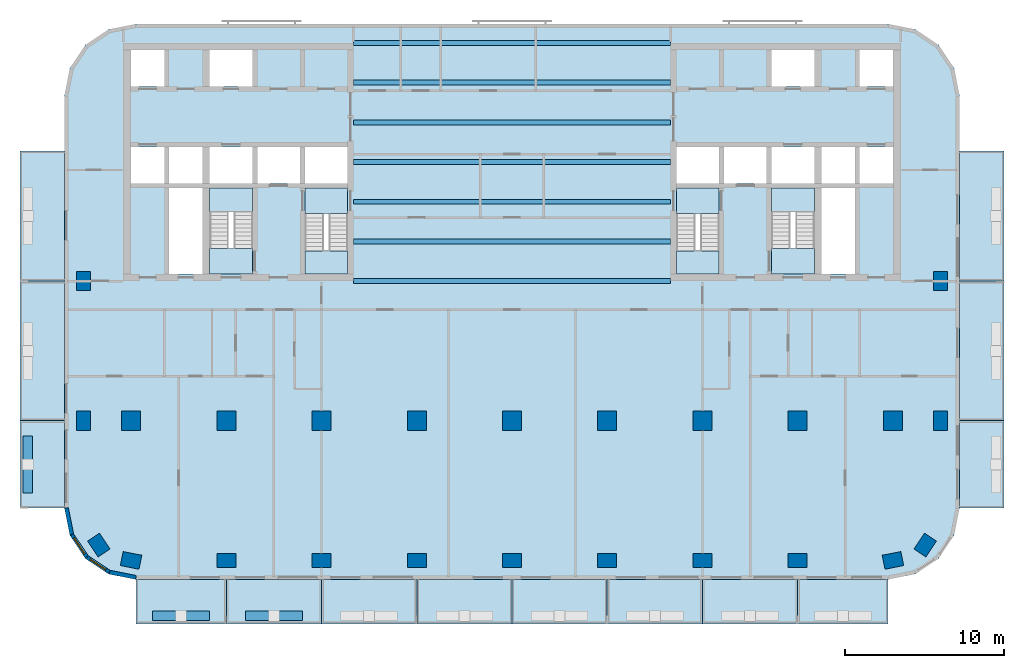
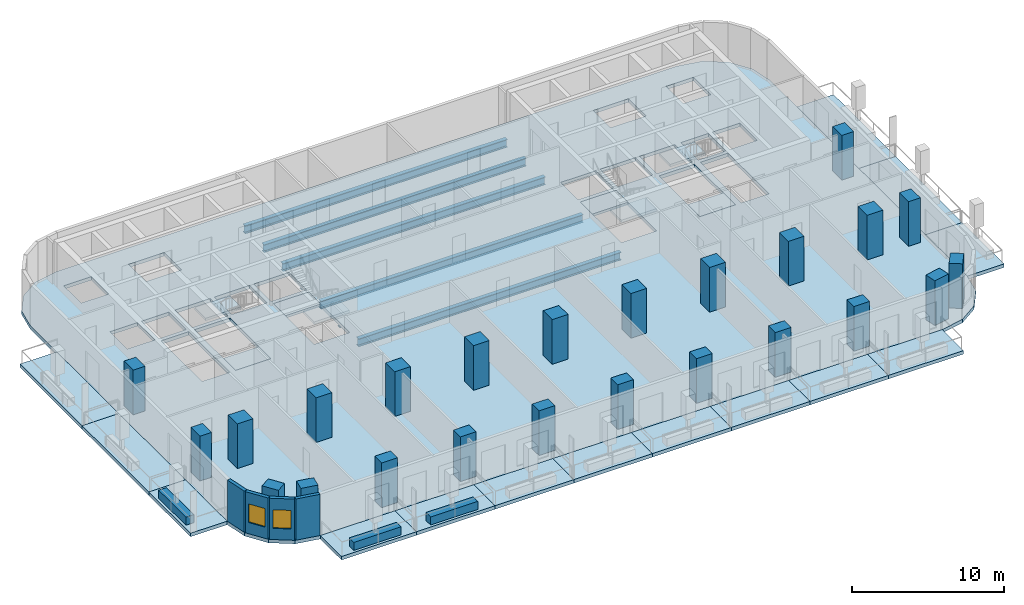
# One storey, part 1 of 11: 24 columns, 23 slabs, 7 beams, 7 walls, 2 windows, 2 openings, 4 elements without a shape of their own.
"""IFC4 building model written with IfcOpenShell, lengths in metres."""

from ifc_helpers import new_model, si_unit, direction, frame, frame_2d, origin, origin_2d, place, context, subcontext, project, spatial, polyline, rectangle, i_section, outline, extrude, material, layer, layer_set, material_profile, profile_set, type_object, element, fill, aggregate, save


model = new_model("IFC4")

# Units and contexts
model_context = context("Model", 3, precision=1e-05, world=origin(), true_north=direction((0.0, 1.0)))
body_context = subcontext(model_context, "Body", "Model", "MODEL_VIEW")
ifc_project = project(units=[si_unit("LENGTHUNIT", "METRE"), si_unit("AREAUNIT", "SQUARE_METRE"), si_unit("VOLUMEUNIT", "CUBIC_METRE"), si_unit("PLANEANGLEUNIT", "RADIAN"), si_unit("MASSUNIT", "GRAM", prefix="KILO")], contexts=[model_context])

# Site, building, storey
site_placement = place(None, origin())
site = spatial("IfcSite", under=ifc_project, at=site_placement, CompositionType="ELEMENT")
building_placement = place(site_placement, origin())
building = spatial("IfcBuilding", under=site, at=building_placement, Name="Torana Hotel and Residences", CompositionType="ELEMENT")
storey_placement = place(building_placement, frame((0.0, 0.0, 145.199951171875)))
storey = spatial("IfcBuildingStorey", under=building, at=storey_placement, Name="L37", CompositionType="ELEMENT", Elevation=145.199951171875)

# Columns
ifc_material_1 = material(Name="Concrete C70/85", Category="concrete")
ifc_material_profile_1 = material_profile(ifc_material_1, rectangle(XDim=1.199951171875, YDim=1.199951171875, at=origin_2d()), Name="RC 1200x1200")
ifc_profile_set_1 = profile_set([ifc_material_profile_1], Name="Concrete C70/85")
column_type_1 = type_object("IfcColumnType", Name="COLUMN RC 1200x1200 C70/85", PredefinedType="COLUMN", material=ifc_profile_set_1)
for number, where, z_axis, x_axis, name in (
    (1, (-24.0, -23.800048828125, 0.0), (0.0, 0.0, 1.0), (1.0, 0.0, 0.0), "Column L37"),
    (2, (-18.0, -23.800048828125, 0.0), (0.0, 0.0, 1.0), (1.0, 0.0, 0.0), "Column L37"),
    (3, (-12.0, -23.800048828125, 0.0), (0.0, 0.0, 1.0), (1.0, 0.0, 0.0), "Column L37"),
    (4, (-6.0, -23.800048828125, 0.0), (0.0, 0.0, 1.0), (1.0, 0.0, 0.0), "Column L37"),
    (5, (0.0, -23.800048828125, 0.0), (0.0, 0.0, 1.0), (1.0, 0.0, 0.0), "Column L37"),
    (6, (6.0, -23.800048828125, 0.0), (0.0, 0.0, 1.0), (1.0, 0.0, 0.0), "Column L37"),
    (7, (12.0, -23.800048828125, 0.0), (0.0, 0.0, 1.0), (1.0, 0.0, 0.0), "Column L37"),
    (8, (18.0, -23.800048828125, 0.0), (0.0, 0.0, 1.0), (1.0, 0.0, 0.0), "Column L37"),
    (9, (24.0, -23.800048828125, 0.0), (0.0, 0.0, 1.0), (1.0, 0.0, 0.0), "Column L37"),
):
    element("IfcColumn", number, at=place(storey_placement, frame(where, z_axis=z_axis, x_axis=x_axis)), inside=storey, type_object=column_type_1, Name=name, PredefinedType="COLUMN", context=body_context, shape_type="SweptSolid", body=[
        extrude(rectangle(XDim=1.199951171875, YDim=1.199951171875, at=origin_2d()), origin(), (0.0, 0.0, 1.0), 3.60009765625),
    ])
ifc_material_2 = material(Name="Concrete C70/85", Category="concrete")
ifc_material_profile_2 = material_profile(ifc_material_2, rectangle(XDim=1.199951171875, YDim=0.89990234375, at=origin_2d()), Name="RC 1200x900")
ifc_profile_set_2 = profile_set([ifc_material_profile_2], Name="Concrete C70/85")
column_type_2 = type_object("IfcColumnType", Name="COLUMN RC 1200x900 C70/85", PredefinedType="COLUMN", material=ifc_profile_set_2)
for number, where, z_axis, x_axis, name in (
    (10, (-27.0, -23.800048828125, 0.0), (0.0, 0.0, 1.0), (0.0, 1.0, 0.0), "Column L37"),
    (11, (-27.0, -15.0, 0.0), (0.0, 0.0, 1.0), (0.0, 1.0, 0.0), "Column L37"),
    (12, (-26.032958984375, -31.633056640625, 0.0), (0.0, 0.0, 1.0), (-0.555584744817, 0.831459915646, 0.0), "Column L37"),
    (13, (-24.0, -32.60009765625, 0.0), (0.0, 0.0, 1.0), (-0.980792089743, 0.195056086032, 0.0), "Column L37"),
    (14, (-18.0, -32.60009765625, 0.0), (0.0, 0.0, 1.0), (1.0, 0.0, 0.0), "Column L37"),
    (15, (-12.0, -32.60009765625, 0.0), (0.0, 0.0, 1.0), (1.0, 0.0, 0.0), "Column L37"),
    (16, (-6.0, -32.60009765625, 0.0), (0.0, 0.0, 1.0), (1.0, 0.0, 0.0), "Column L37"),
    (17, (0.0, -32.60009765625, 0.0), (0.0, 0.0, 1.0), (1.0, 0.0, 0.0), "Column L37"),
    (18, (6.0, -32.60009765625, 0.0), (0.0, 0.0, 1.0), (1.0, 0.0, 0.0), "Column L37"),
    (19, (12.0, -32.60009765625, 0.0), (0.0, 0.0, 1.0), (1.0, 0.0, 0.0), "Column L37"),
    (20, (18.0, -32.60009765625, 0.0), (0.0, 0.0, 1.0), (1.0, 0.0, 0.0), "Column L37"),
    (21, (24.0, -32.60009765625, 0.0), (0.0, 0.0, 1.0), (0.980792089743, 0.195056086032, 0.0), "Column L37"),
    (22, (26.032958984375, -31.633056640625, 0.0), (0.0, 0.0, 1.0), (0.555584744817, 0.831459915646, 0.0), "Column L37"),
    (23, (27.0, -23.800048828125, 0.0), (0.0, 0.0, 1.0), (0.0, 1.0, 0.0), "Column L37"),
    (24, (27.0, -15.0, 0.0), (0.0, 0.0, 1.0), (0.0, 1.0, 0.0), "Column L37"),
):
    element("IfcColumn", number, at=place(storey_placement, frame(where, z_axis=z_axis, x_axis=x_axis)), inside=storey, type_object=column_type_2, Name=name, PredefinedType="COLUMN", context=body_context, shape_type="SweptSolid", body=[
        extrude(rectangle(XDim=1.199951171875, YDim=0.89990234375, at=origin_2d()), origin(), (0.0, 0.0, 1.0), 3.60009765625),
    ])

# Beams
ifc_material_3 = material(Name="Steel S355", Category="steel")
ifc_material_profile_3 = material_profile(ifc_material_3, i_section(OverallWidth=0.311279296875, OverallDepth=0.6357421875, WebThickness=0.018310546875, FlangeThickness=0.031494140625, FilletRadius=0.0166015625, at=origin_2d()), Name="610x305x238 UB")
ifc_profile_set_3 = profile_set([ifc_material_profile_3], Name="Steel S355")
beam_type = type_object("IfcBeamType", Name="STEEL GIRDER 610x305x238 UB", PredefinedType="BEAM", material=ifc_profile_set_3)
for number, where, z_axis, x_axis, name in (
    (25, (-10.0, -15.0, -0.597900390625), (1.0, 0.0, 0.0), (0.0, 1.0, 0.0), "Floor girder"),
    (26, (-10.0, -12.5, -0.597900390625), (1.0, 0.0, 0.0), (0.0, 1.0, 0.0), "Floor girder"),
    (27, (-10.0, -10.0, -0.597900390625), (1.0, 0.0, 0.0), (0.0, 1.0, 0.0), "Floor girder"),
    (28, (-10.0, -7.5, -0.597900390625), (1.0, 0.0, 0.0), (0.0, 1.0, 0.0), "Floor girder"),
    (29, (-10.0, -5.0, -0.597900390625), (1.0, 0.0, 0.0), (0.0, 1.0, 0.0), "Floor girder"),
    (30, (-10.0, -2.5, -0.597900390625), (1.0, 0.0, 0.0), (0.0, 1.0, 0.0), "Floor girder"),
    (31, (-10.0, 0.0, -0.597900390625), (1.0, 0.0, 0.0), (0.0, 1.0, 0.0), "Floor girder"),
):
    element("IfcBeam", number, at=place(storey_placement, frame(where, z_axis=z_axis, x_axis=x_axis)), inside=storey, type_object=beam_type, Name=name, PredefinedType="BEAM", context=body_context, shape_type="SweptSolid", body=[
        extrude(i_section(OverallWidth=0.311279296875, OverallDepth=0.6357421875, WebThickness=0.018310546875, FlangeThickness=0.031494140625, FilletRadius=0.0166015625, at=origin_2d()), origin(), (0.0, 0.0, 1.0), 20.0),
    ])

# Slabs
ifc_material_4 = material(Name="Concrete C40/50", Category="concrete")
ifc_layer_1 = layer(ifc_material_4, 0.280029296875)
ifc_layer_set_1 = layer_set([ifc_layer_1], Name="BAL1 BALCONY SLAB 280")
slab_type_1 = type_object("IfcSlabType", Name="BAL1 BALCONY SLAB 280", PredefinedType="USERDEFINED", material=ifc_layer_set_1)
slab_1_placement = place(storey_placement, frame((0.0, 0.0, -0.280029296875)))
element("IfcSlab", 32, at=slab_1_placement, inside=storey, type_object=slab_type_1, Name="Balcony 01", ObjectType="BALCONY", PredefinedType="USERDEFINED", context=body_context, shape_type="SweptSolid", body=[
    extrude(outline(polyline([(-23.699951171875, -36.60009765625), (-18.0, -36.60009765625), (-18.0, -33.800048828125), (-23.699951171875, -33.800048828125), (-23.699951171875, -36.60009765625)])), origin(), (0.0, 0.0, 1.0), 0.280029296875),
])
slab_2_placement = place(storey_placement, frame((0.0, 0.0, -0.280029296875)))
element("IfcSlab", 33, at=slab_2_placement, inside=storey, type_object=slab_type_1, Name="Balcony 02", ObjectType="BALCONY", PredefinedType="USERDEFINED", context=body_context, shape_type="SweptSolid", body=[
    extrude(outline(polyline([(-18.0, -36.60009765625), (-12.0, -36.60009765625), (-12.0, -33.800048828125), (-18.0, -33.800048828125), (-18.0, -36.60009765625)])), origin(), (0.0, 0.0, 1.0), 0.280029296875),
])
slab_3_placement = place(storey_placement, frame((0.0, 0.0, -0.280029296875)))
element("IfcSlab", 34, at=slab_3_placement, inside=storey, type_object=slab_type_1, Name="Balcony 03", ObjectType="BALCONY", PredefinedType="USERDEFINED", context=body_context, shape_type="SweptSolid", body=[
    extrude(outline(polyline([(-12.0, -36.60009765625), (-6.0, -36.60009765625), (-6.0, -33.800048828125), (-12.0, -33.800048828125), (-12.0, -36.60009765625)])), origin(), (0.0, 0.0, 1.0), 0.280029296875),
])
slab_4_placement = place(storey_placement, frame((0.0, 0.0, -0.280029296875)))
element("IfcSlab", 35, at=slab_4_placement, inside=storey, type_object=slab_type_1, Name="Balcony 04", ObjectType="BALCONY", PredefinedType="USERDEFINED", context=body_context, shape_type="SweptSolid", body=[
    extrude(outline(polyline([(-6.0, -36.60009765625), (0.0, -36.60009765625), (0.0, -33.800048828125), (-6.0, -33.800048828125), (-6.0, -36.60009765625)])), origin(), (0.0, 0.0, 1.0), 0.280029296875),
])
slab_5_placement = place(storey_placement, frame((0.0, 0.0, -0.280029296875)))
element("IfcSlab", 36, at=slab_5_placement, inside=storey, type_object=slab_type_1, Name="Balcony 05", ObjectType="BALCONY", PredefinedType="USERDEFINED", context=body_context, shape_type="SweptSolid", body=[
    extrude(outline(polyline([(0.0, -36.60009765625), (6.0, -36.60009765625), (6.0, -33.800048828125), (0.0, -33.800048828125), (0.0, -36.60009765625)])), origin(), (0.0, 0.0, 1.0), 0.280029296875),
])
slab_6_placement = place(storey_placement, frame((0.0, 0.0, -0.280029296875)))
element("IfcSlab", 37, at=slab_6_placement, inside=storey, type_object=slab_type_1, Name="Balcony 06", ObjectType="BALCONY", PredefinedType="USERDEFINED", context=body_context, shape_type="SweptSolid", body=[
    extrude(outline(polyline([(6.0, -36.60009765625), (12.0, -36.60009765625), (12.0, -33.800048828125), (6.0, -33.800048828125), (6.0, -36.60009765625)])), origin(), (0.0, 0.0, 1.0), 0.280029296875),
])
slab_7_placement = place(storey_placement, frame((0.0, 0.0, -0.280029296875)))
element("IfcSlab", 38, at=slab_7_placement, inside=storey, type_object=slab_type_1, Name="Balcony 07", ObjectType="BALCONY", PredefinedType="USERDEFINED", context=body_context, shape_type="SweptSolid", body=[
    extrude(outline(polyline([(12.0, -36.60009765625), (18.0, -36.60009765625), (18.0, -33.800048828125), (12.0, -33.800048828125), (12.0, -36.60009765625)])), origin(), (0.0, 0.0, 1.0), 0.280029296875),
])
slab_8_placement = place(storey_placement, frame((0.0, 0.0, -0.280029296875)))
element("IfcSlab", 39, at=slab_8_placement, inside=storey, type_object=slab_type_1, Name="Balcony 08", ObjectType="BALCONY", PredefinedType="USERDEFINED", context=body_context, shape_type="SweptSolid", body=[
    extrude(outline(polyline([(18.0, -36.60009765625), (23.699951171875, -36.60009765625), (23.699951171875, -33.800048828125), (18.0, -33.800048828125), (18.0, -36.60009765625)])), origin(), (0.0, 0.0, 1.0), 0.280029296875),
])
slab_9_placement = place(storey_placement, frame((0.0, 0.0, -0.280029296875)))
element("IfcSlab", 40, at=slab_9_placement, inside=storey, type_object=slab_type_1, Name="Balcony 09", ObjectType="BALCONY", PredefinedType="USERDEFINED", context=body_context, shape_type="SweptSolid", body=[
    extrude(outline(polyline([(-31.0, -29.300048828125), (-28.199951171875, -29.300048828125), (-28.199951171875, -23.800048828125), (-31.0, -23.800048828125), (-31.0, -29.300048828125)])), origin(), (0.0, 0.0, 1.0), 0.280029296875),
])
slab_10_placement = place(storey_placement, frame((0.0, 0.0, -0.280029296875)))
element("IfcSlab", 41, at=slab_10_placement, inside=storey, type_object=slab_type_1, Name="Balcony 10", ObjectType="BALCONY", PredefinedType="USERDEFINED", context=body_context, shape_type="SweptSolid", body=[
    extrude(outline(polyline([(-31.0, -23.800048828125), (-28.199951171875, -23.800048828125), (-28.199951171875, -15.0), (-31.0, -15.0), (-31.0, -23.800048828125)])), origin(), (0.0, 0.0, 1.0), 0.280029296875),
])
slab_11_placement = place(storey_placement, frame((0.0, 0.0, -0.280029296875)))
element("IfcSlab", 42, at=slab_11_placement, inside=storey, type_object=slab_type_1, Name="Balcony 11", ObjectType="BALCONY", PredefinedType="USERDEFINED", context=body_context, shape_type="SweptSolid", body=[
    extrude(outline(polyline([(-31.0, -15.0), (-28.199951171875, -15.0), (-28.199951171875, -6.800048828125), (-31.0, -6.800048828125), (-31.0, -15.0)])), origin(), (0.0, 0.0, 1.0), 0.280029296875),
])
slab_12_placement = place(storey_placement, frame((0.0, 0.0, -0.280029296875)))
element("IfcSlab", 43, at=slab_12_placement, inside=storey, type_object=slab_type_1, Name="Balcony 12", ObjectType="BALCONY", PredefinedType="USERDEFINED", context=body_context, shape_type="SweptSolid", body=[
    extrude(outline(polyline([(28.199951171875, -29.300048828125), (31.0, -29.300048828125), (31.0, -23.800048828125), (28.199951171875, -23.800048828125), (28.199951171875, -29.300048828125)])), origin(), (0.0, 0.0, 1.0), 0.280029296875),
])
slab_13_placement = place(storey_placement, frame((0.0, 0.0, -0.280029296875)))
element("IfcSlab", 44, at=slab_13_placement, inside=storey, type_object=slab_type_1, Name="Balcony 13", ObjectType="BALCONY", PredefinedType="USERDEFINED", context=body_context, shape_type="SweptSolid", body=[
    extrude(outline(polyline([(28.199951171875, -23.800048828125), (31.0, -23.800048828125), (31.0, -15.0), (28.199951171875, -15.0), (28.199951171875, -23.800048828125)])), origin(), (0.0, 0.0, 1.0), 0.280029296875),
])
slab_14_placement = place(storey_placement, frame((0.0, 0.0, -0.280029296875)))
element("IfcSlab", 45, at=slab_14_placement, inside=storey, type_object=slab_type_1, Name="Balcony 14", ObjectType="BALCONY", PredefinedType="USERDEFINED", context=body_context, shape_type="SweptSolid", body=[
    extrude(outline(polyline([(28.199951171875, -15.0), (31.0, -15.0), (31.0, -6.800048828125), (28.199951171875, -6.800048828125), (28.199951171875, -15.0)])), origin(), (0.0, 0.0, 1.0), 0.280029296875),
])
ifc_material_5 = material(Name="Concrete C40/50", Category="concrete")
ifc_layer_2 = layer(ifc_material_5, 0.280029296875)
ifc_layer_set_2 = layer_set([ifc_layer_2], Name="FLOOR SLAB PT 280")
slab_type_2 = type_object("IfcSlabType", Name="FLOOR SLAB PT 280", PredefinedType="FLOOR", material=ifc_layer_set_2)
slab_15_placement = place(storey_placement, frame((0.0, 0.0, -0.280029296875)))
element("IfcSlab", 46, at=slab_15_placement, inside=storey, type_object=slab_type_2, Name="Floor slab", PredefinedType="FLOOR", context=body_context, shape_type="SweptSolid", body=[
    extrude(outline(polyline([(28.199951171875, -3.300048828125), (27.857421875, -1.577880859375), (26.882080078125, -0.117919921875), (25.422119140625, 0.857421875), (23.699951171875, 1.199951171875), (-23.699951171875, 1.199951171875), (-25.422119140625, 0.857421875), (-26.882080078125, -0.117919921875), (-27.857421875, -1.577880859375), (-28.199951171875, -3.300048828125), (-28.199951171875, -29.300048828125), (-27.857421875, -31.022216796875), (-26.882080078125, -32.48193359375), (-25.422119140625, -33.45751953125), (-23.699951171875, -33.800048828125), (23.699951171875, -33.800048828125), (25.422119140625, -33.45751953125), (26.882080078125, -32.48193359375), (27.857421875, -31.022216796875), (28.199951171875, -29.300048828125), (28.199951171875, -3.300048828125)]), holes=[polyline([(-13.050048828125, -14.550048828125), (-10.35009765625, -14.550048828125), (-10.35009765625, -9.14990234375), (-13.050048828125, -9.14990234375), (-13.050048828125, -14.550048828125)]), polyline([(-19.050048828125, -14.550048828125), (-16.35009765625, -14.550048828125), (-16.35009765625, -9.14990234375), (-19.050048828125, -9.14990234375), (-19.050048828125, -14.550048828125)]), polyline([(-19.050048828125, -2.75), (-16.35009765625, -2.75), (-16.35009765625, -0.449951171875), (-19.050048828125, -0.449951171875), (-19.050048828125, -2.75)]), polyline([(-21.60009765625, -8.85009765625), (-19.5, -8.85009765625), (-19.5, -6.550048828125), (-21.60009765625, -6.550048828125), (-21.60009765625, -8.85009765625)]), polyline([(-24.0, -2.75), (-21.89990234375, -2.75), (-21.89990234375, -0.449951171875), (-24.0, -0.449951171875), (-24.0, -2.75)]), polyline([(-24.0, -8.85009765625), (-21.89990234375, -8.85009765625), (-21.89990234375, -6.550048828125), (-24.0, -6.550048828125), (-24.0, -8.85009765625)]), polyline([(-13.050048828125, -8.85009765625), (-10.35009765625, -8.85009765625), (-10.35009765625, -6.550048828125), (-13.050048828125, -6.550048828125), (-13.050048828125, -8.85009765625)]), polyline([(-16.050048828125, -8.85009765625), (-13.35009765625, -8.85009765625), (-13.35009765625, -6.550048828125), (-16.050048828125, -6.550048828125), (-16.050048828125, -8.85009765625)]), polyline([(-19.050048828125, -8.85009765625), (-16.35009765625, -8.85009765625), (-16.35009765625, -6.550048828125), (-19.050048828125, -6.550048828125), (-19.050048828125, -8.85009765625)]), polyline([(-21.60009765625, -14.550048828125), (-19.5, -14.550048828125), (-19.5, -9.14990234375), (-21.60009765625, -9.14990234375), (-21.60009765625, -14.550048828125)]), polyline([(10.35009765625, -14.550048828125), (13.050048828125, -14.550048828125), (13.050048828125, -9.14990234375), (10.35009765625, -9.14990234375), (10.35009765625, -14.550048828125)]), polyline([(16.35009765625, -14.550048828125), (19.050048828125, -14.550048828125), (19.050048828125, -9.14990234375), (16.35009765625, -9.14990234375), (16.35009765625, -14.550048828125)]), polyline([(16.35009765625, -2.75), (19.050048828125, -2.75), (19.050048828125, -0.449951171875), (16.35009765625, -0.449951171875), (16.35009765625, -2.75)]), polyline([(19.5, -8.85009765625), (21.60009765625, -8.85009765625), (21.60009765625, -6.550048828125), (19.5, -6.550048828125), (19.5, -8.85009765625)]), polyline([(21.89990234375, -2.75), (24.0, -2.75), (24.0, -0.449951171875), (21.89990234375, -0.449951171875), (21.89990234375, -2.75)]), polyline([(21.89990234375, -8.85009765625), (24.0, -8.85009765625), (24.0, -6.550048828125), (21.89990234375, -6.550048828125), (21.89990234375, -8.85009765625)]), polyline([(10.35009765625, -8.85009765625), (13.050048828125, -8.85009765625), (13.050048828125, -6.550048828125), (10.35009765625, -6.550048828125), (10.35009765625, -8.85009765625)]), polyline([(13.35009765625, -8.85009765625), (16.050048828125, -8.85009765625), (16.050048828125, -6.550048828125), (13.35009765625, -6.550048828125), (13.35009765625, -8.85009765625)]), polyline([(16.35009765625, -8.85009765625), (19.050048828125, -8.85009765625), (19.050048828125, -6.550048828125), (16.35009765625, -6.550048828125), (16.35009765625, -8.85009765625)]), polyline([(19.5, -14.550048828125), (21.60009765625, -14.550048828125), (21.60009765625, -9.14990234375), (19.5, -9.14990234375), (19.5, -14.550048828125)])]), origin(), (0.0, 0.0, 1.0), 0.280029296875),
])

# Stair, slabs
ifc_material_6 = material(Name="Concrete C40/50 precast", Category="concrete")
stair_type_1 = type_object("IfcStairType", Name="STAIR ST1 HALF TURN 1200", PredefinedType="HALF_TURN_STAIR", material=ifc_material_6)
stair_1_placement = place(storey_placement, origin())
stair_1 = element("IfcStair", 47, at=stair_1_placement, inside=storey, type_object=stair_type_1, Name="Stair ST1 L37", PredefinedType="HALF_TURN_STAIR")
ifc_material_7 = material(Name="Concrete C40/50 precast", Category="concrete")
ifc_layer_3 = layer(ifc_material_7, 0.199951171875)
ifc_layer_set_3 = layer_set([ifc_layer_3], Name="STAIR LANDING 200")
slab_type_3 = type_object("IfcSlabType", Name="STAIR LANDING 200", PredefinedType="LANDING", material=ifc_layer_set_3)
slab_16_placement = place(storey_placement, frame((0.0, 0.0, 1.60009765625)))
slab_16 = element("IfcSlab", 48, at=slab_16_placement, type_object=slab_type_3, Name="ST1 landing 1", PredefinedType="LANDING", context=body_context, shape_type="SweptSolid", body=[
    extrude(outline(polyline([(-13.050048828125, -14.550048828125), (-10.35009765625, -14.550048828125), (-10.35009765625, -13.090087890625), (-13.050048828125, -13.090087890625), (-13.050048828125, -14.550048828125)])), origin(), (0.0, 0.0, 1.0), 0.199951171875),
])
slab_17_placement = place(storey_placement, frame((0.0, 0.0, -0.199951171875)))
slab_17 = element("IfcSlab", 49, at=slab_17_placement, type_object=slab_type_3, Name="ST1 landing 2", PredefinedType="LANDING", context=body_context, shape_type="SweptSolid", body=[
    extrude(outline(polyline([(-13.050048828125, -10.75), (-10.35009765625, -10.75), (-10.35009765625, -9.14990234375), (-13.050048828125, -9.14990234375), (-13.050048828125, -10.75)])), origin(), (0.0, 0.0, 1.0), 0.199951171875),
])
aggregate(stair_1, [slab_16, slab_17])

ifc_material_8 = material(Name="Concrete C40/50 precast", Category="concrete")
stair_type_2 = type_object("IfcStairType", Name="STAIR ST2 HALF TURN 1200", PredefinedType="HALF_TURN_STAIR", material=ifc_material_8)
stair_2_placement = place(storey_placement, origin())
stair_2 = element("IfcStair", 50, at=stair_2_placement, inside=storey, type_object=stair_type_2, Name="Stair ST2 L37", PredefinedType="HALF_TURN_STAIR")
slab_18_placement = place(storey_placement, frame((0.0, 0.0, 1.60009765625)))
slab_18 = element("IfcSlab", 51, at=slab_18_placement, type_object=slab_type_3, Name="ST2 landing 1", PredefinedType="LANDING", context=body_context, shape_type="SweptSolid", body=[
    extrude(outline(polyline([(-19.050048828125, -10.610107421875), (-16.35009765625, -10.610107421875), (-16.35009765625, -9.14990234375), (-19.050048828125, -9.14990234375), (-19.050048828125, -10.610107421875)])), origin(), (0.0, 0.0, 1.0), 0.199951171875),
])
slab_19_placement = place(storey_placement, frame((0.0, 0.0, -0.199951171875)))
slab_19 = element("IfcSlab", 52, at=slab_19_placement, type_object=slab_type_3, Name="ST2 landing 2", PredefinedType="LANDING", context=body_context, shape_type="SweptSolid", body=[
    extrude(outline(polyline([(-19.050048828125, -14.550048828125), (-16.35009765625, -14.550048828125), (-16.35009765625, -12.949951171875), (-19.050048828125, -12.949951171875), (-19.050048828125, -14.550048828125)])), origin(), (0.0, 0.0, 1.0), 0.199951171875),
])
aggregate(stair_2, [slab_18, slab_19])

ifc_material_9 = material(Name="Concrete C40/50 precast", Category="concrete")
stair_type_3 = type_object("IfcStairType", Name="STAIR ST3 HALF TURN 1200", PredefinedType="HALF_TURN_STAIR", material=ifc_material_9)
stair_3_placement = place(storey_placement, origin())
stair_3 = element("IfcStair", 53, at=stair_3_placement, inside=storey, type_object=stair_type_3, Name="Stair ST3 L37", PredefinedType="HALF_TURN_STAIR")
slab_20_placement = place(storey_placement, frame((0.0, 0.0, 1.60009765625)))
slab_20 = element("IfcSlab", 54, at=slab_20_placement, type_object=slab_type_3, Name="ST3 landing 1", PredefinedType="LANDING", context=body_context, shape_type="SweptSolid", body=[
    extrude(outline(polyline([(10.35009765625, -14.550048828125), (13.050048828125, -14.550048828125), (13.050048828125, -13.090087890625), (10.35009765625, -13.090087890625), (10.35009765625, -14.550048828125)])), origin(), (0.0, 0.0, 1.0), 0.199951171875),
])
slab_21_placement = place(storey_placement, frame((0.0, 0.0, -0.199951171875)))
slab_21 = element("IfcSlab", 55, at=slab_21_placement, type_object=slab_type_3, Name="ST3 landing 2", PredefinedType="LANDING", context=body_context, shape_type="SweptSolid", body=[
    extrude(outline(polyline([(10.35009765625, -10.75), (13.050048828125, -10.75), (13.050048828125, -9.14990234375), (10.35009765625, -9.14990234375), (10.35009765625, -10.75)])), origin(), (0.0, 0.0, 1.0), 0.199951171875),
])
aggregate(stair_3, [slab_20, slab_21])

ifc_material_10 = material(Name="Concrete C40/50 precast", Category="concrete")
stair_type_4 = type_object("IfcStairType", Name="STAIR ST4 HALF TURN 1200", PredefinedType="HALF_TURN_STAIR", material=ifc_material_10)
stair_4_placement = place(storey_placement, origin())
stair_4 = element("IfcStair", 56, at=stair_4_placement, inside=storey, type_object=stair_type_4, Name="Stair ST4 L37", PredefinedType="HALF_TURN_STAIR")
slab_22_placement = place(storey_placement, frame((0.0, 0.0, 1.60009765625)))
slab_22 = element("IfcSlab", 57, at=slab_22_placement, type_object=slab_type_3, Name="ST4 landing 1", PredefinedType="LANDING", context=body_context, shape_type="SweptSolid", body=[
    extrude(outline(polyline([(16.35009765625, -10.610107421875), (19.050048828125, -10.610107421875), (19.050048828125, -9.14990234375), (16.35009765625, -9.14990234375), (16.35009765625, -10.610107421875)])), origin(), (0.0, 0.0, 1.0), 0.199951171875),
])
slab_23_placement = place(storey_placement, frame((0.0, 0.0, -0.199951171875)))
slab_23 = element("IfcSlab", 58, at=slab_23_placement, type_object=slab_type_3, Name="ST4 landing 2", PredefinedType="LANDING", context=body_context, shape_type="SweptSolid", body=[
    extrude(outline(polyline([(16.35009765625, -14.550048828125), (19.050048828125, -14.550048828125), (19.050048828125, -12.949951171875), (16.35009765625, -12.949951171875), (16.35009765625, -14.550048828125)])), origin(), (0.0, 0.0, 1.0), 0.199951171875),
])
aggregate(stair_4, [slab_22, slab_23])

# Wall
ifc_material_11 = material(Name="Black aluminium composite panel", Category="aluminium")
ifc_layer_4 = layer(ifc_material_11, 0.00390625, Name="Cladding", Category="cladding")
ifc_material_12 = material(Name="Ventilated air cavity")
ifc_layer_5 = layer(ifc_material_12, 0.0400390625, Name="Ventilated cavity", Category="cavity")
ifc_material_13 = material(Name="Mineral wool insulation")
ifc_layer_6 = layer(ifc_material_13, 0.090087890625, Name="Insulation", Category="insulation")
ifc_material_14 = material(Name="Steel S280GD", Category="steel")
ifc_layer_7 = layer(ifc_material_14, 0.092041015625, Name="Steel stud frame", Category="structure")
ifc_material_15 = material(Name="Fire rated plasterboard")
ifc_layer_8 = layer(ifc_material_15, 0.011962890625, Name="Inner board", Category="finish")
ifc_layer_9 = layer(ifc_material_15, 0.011962890625, Name="Second board", Category="finish")
ifc_layer_set_4 = layer_set([ifc_layer_4, ifc_layer_5, ifc_layer_6, ifc_layer_7, ifc_layer_8, ifc_layer_9], Name="EW1 EXTERNAL WALL BLACK METAL CLAD 250")
wall_type_1 = type_object("IfcWallType", Name="EW1 EXTERNAL WALL BLACK METAL CLAD 250", PredefinedType="SOLIDWALL", material=ifc_layer_set_4)
wall_1_placement = place(storey_placement, frame((-28.072509765625, -29.2998046875, 0.0), z_axis=(0.0, 0.0, 1.0), x_axis=(0.194999110559, -0.980803419081, 0.0)))
element("IfcWall", 59, at=wall_1_placement, inside=storey, type_object=wall_type_1, Name="External wall L37 e0.10", PredefinedType="SOLIDWALL", context=body_context, shape_type="SweptSolid", body=[
    extrude(rectangle(XDim=1.681396484375, YDim=0.25, at=frame_2d((0.8408203125, 0.0))), origin(), (0.0, 0.0, 1.0), 3.320068359375),
])

# Wall, opening, window
wall_2_placement = place(storey_placement, frame((-27.725830078125, -30.993896484375, 0.0), z_axis=(0.0, 0.0, 1.0), x_axis=(0.55555029066, -0.831482937015, 0.0)))
wall_2 = element("IfcWall", 60, at=wall_2_placement, inside=storey, type_object=wall_type_1, Name="External wall L37 e0.11", PredefinedType="SOLIDWALL", context=body_context, shape_type="SweptSolid", body=[
    extrude(rectangle(XDim=1.65625, YDim=0.25, at=frame_2d((0.828125, 0.0))), origin(), (0.0, 0.0, 1.0), 3.320068359375),
])
opening_1_placement = place(wall_2_placement, frame((0.228271484375, 0.0, 0.89990234375)))
opening_1 = element("IfcOpeningElement", 61, at=opening_1_placement, cuts=wall_2, Name="Opening W5", PredefinedType="OPENING", context=body_context, shape_type="SweptSolid", body=[
    extrude(rectangle(XDim=1.199951171875, YDim=1.5, at=frame_2d((0.60009765625, 0.75))), frame((0.0, 0.135009765625, 0.0), z_axis=(0.0, -1.0, 0.0), x_axis=(1.0, 0.0, 0.0)), (0.0, 0.0, 1.0), 0.27001953125),
])
ifc_material_16 = material(Name="Dark glass in black aluminium frame", Category="aluminium")
window_type = type_object("IfcWindowType", Name="W5 CORNER FACET WINDOW 1200x1500", PartitioningType="SINGLE_PANEL", PredefinedType="WINDOW", material=ifc_material_16)
window_1_placement = place(opening_1_placement, origin())
window_1 = element("IfcWindow", 62, at=window_1_placement, inside=storey, type_object=window_type, Name="Window L37 e0.11", OverallHeight=1.5, OverallWidth=1.199951171875, PartitioningType="SINGLE_PANEL", PredefinedType="WINDOW", context=body_context, shape_type="SweptSolid", body=[
    extrude(rectangle(XDim=1.199951171875, YDim=1.5, at=frame_2d((0.60009765625, 0.75))), frame((0.0, 0.030029296875, 0.0), z_axis=(0.0, -1.0, 0.0), x_axis=(1.0, 0.0, 0.0)), (0.0, 0.0, 1.0), 0.06005859375),
])
fill(opening_1, window_1)

wall_3_placement = place(storey_placement, frame((-26.771240234375, -32.40576171875, 0.0), z_axis=(0.0, 0.0, 1.0), x_axis=(0.831482937015, -0.55555029066, 0.0)))
wall_3 = element("IfcWall", 63, at=wall_3_placement, inside=storey, type_object=wall_type_1, Name="External wall L37 e0.12", PredefinedType="SOLIDWALL", context=body_context, shape_type="SweptSolid", body=[
    extrude(rectangle(XDim=1.65625, YDim=0.25, at=frame_2d((0.828125, 0.0))), origin(), (0.0, 0.0, 1.0), 3.320068359375),
])
opening_2_placement = place(wall_3_placement, frame((0.228271484375, 0.0, 0.89990234375)))
opening_2 = element("IfcOpeningElement", 64, at=opening_2_placement, cuts=wall_3, Name="Opening W5", PredefinedType="OPENING", context=body_context, shape_type="SweptSolid", body=[
    extrude(rectangle(XDim=1.199951171875, YDim=1.5, at=frame_2d((0.60009765625, 0.75))), frame((0.0, 0.135009765625, 0.0), z_axis=(0.0, -1.0, 0.0), x_axis=(1.0, 0.0, 0.0)), (0.0, 0.0, 1.0), 0.27001953125),
])
window_2_placement = place(opening_2_placement, origin())
window_2 = element("IfcWindow", 65, at=window_2_placement, inside=storey, type_object=window_type, Name="Window L37 e0.12", OverallHeight=1.5, OverallWidth=1.199951171875, PartitioningType="SINGLE_PANEL", PredefinedType="WINDOW", context=body_context, shape_type="SweptSolid", body=[
    extrude(rectangle(XDim=1.199951171875, YDim=1.5, at=frame_2d((0.60009765625, 0.75))), frame((0.0, 0.030029296875, 0.0), z_axis=(0.0, -1.0, 0.0), x_axis=(1.0, 0.0, 0.0)), (0.0, 0.0, 1.0), 0.06005859375),
])
fill(opening_2, window_2)

# Walls
wall_4_placement = place(storey_placement, frame((-25.348876953125, -33.344482421875, 0.0), z_axis=(0.0, 0.0, 1.0), x_axis=(0.980775640221, -0.19513878023, 0.0)))
element("IfcWall", 66, at=wall_4_placement, inside=storey, type_object=wall_type_1, Name="External wall L37 e0.13", PredefinedType="SOLIDWALL", context=body_context, shape_type="SweptSolid", body=[
    extrude(rectangle(XDim=1.681396484375, YDim=0.25, at=frame_2d((0.8408203125, 0.0))), origin(), (0.0, 0.0, 1.0), 3.320068359375),
])
ifc_material_17 = material(Name="Concrete C40/50 precast", Category="concrete")
ifc_layer_10 = layer(ifc_material_17, 0.10009765625, Name="Planter shell", Category="structure")
ifc_material_18 = material(Name="Root resistant membrane")
ifc_layer_11 = layer(ifc_material_18, 0.00390625, Name="Waterproofing membrane", Category="membrane")
ifc_material_19 = material(Name="Drainage board with filter fleece")
ifc_layer_12 = layer(ifc_material_19, 0.02001953125, Name="Drainage board", Category="drainage")
ifc_material_20 = material(Name="Growing medium")
ifc_layer_13 = layer(ifc_material_20, 0.47607421875, Name="Planting substrate", Category="soil")
ifc_layer_set_5 = layer_set([ifc_layer_10, ifc_layer_11, ifc_layer_12, ifc_layer_13], Name="PL1 BALCONY PLANTER 600")
wall_type_2 = type_object("IfcWallType", Name="PL1 BALCONY PLANTER 600", PredefinedType="USERDEFINED", material=ifc_layer_set_5)
wall_5_placement = place(storey_placement, frame((-19.050048828125, -36.10009765625, 0.0), z_axis=(0.0, 0.0, 1.0), x_axis=(-1.0, 0.0, 0.0)))
element("IfcWall", 67, at=wall_5_placement, inside=storey, type_object=wall_type_2, Name="Planter 01", ObjectType="PLANTER", PredefinedType="USERDEFINED", context=body_context, shape_type="SweptSolid", body=[
    extrude(rectangle(XDim=3.599853515625, YDim=0.60009765625, at=frame_2d((1.7998046875, 0.0))), origin(), (0.0, 0.0, 1.0), 0.650146484375),
])
for number, where, z_axis, x_axis, name in (
    (68, (-13.199951171875, -36.10009765625, 0.0), (0.0, 0.0, 1.0), (-1.0, 0.0, 0.0), "Planter 02"),
    (69, (-30.5, -28.35009765625, 0.0), (0.0, 0.0, 1.0), (0.0, 1.0, 0.0), "Planter 09"),
):
    element("IfcWall", number, at=place(storey_placement, frame(where, z_axis=z_axis, x_axis=x_axis)), inside=storey, type_object=wall_type_2, Name=name, ObjectType="PLANTER", PredefinedType="USERDEFINED", context=body_context, shape_type="SweptSolid", body=[
        extrude(rectangle(XDim=3.60009765625, YDim=0.60009765625, at=frame_2d((1.800048828125, 0.0))), origin(), (0.0, 0.0, 1.0), 0.650146484375),
    ])

save(model, "model.ifc")
